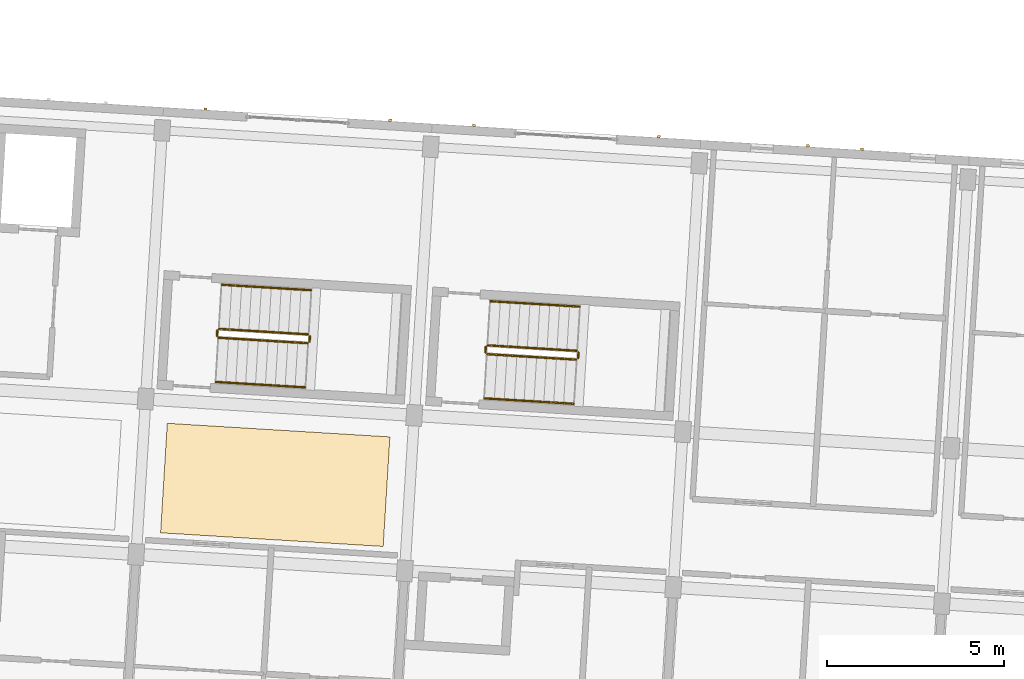
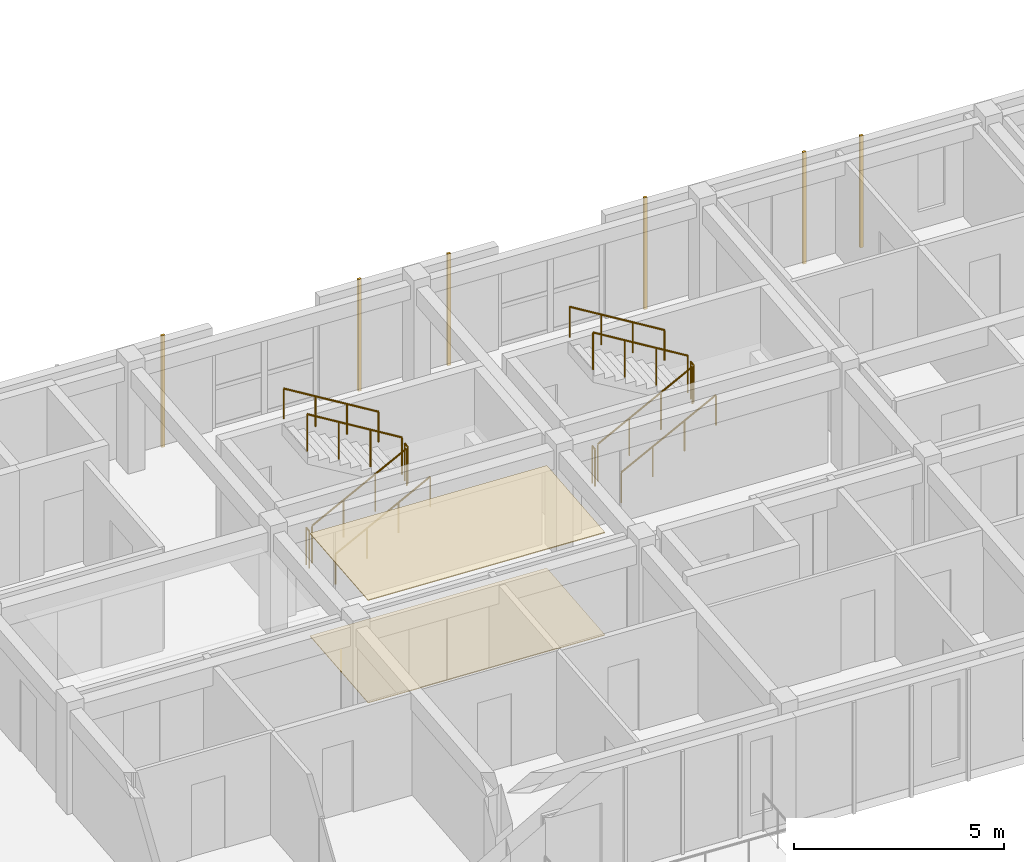
# One storey, part 49 of 64: 12 railings, 8 coverings.
"""IFC4 building model written with IfcOpenShell, lengths in metres."""

from ifc_helpers import new_model, si_unit, direction, frame, origin, origin_2d, place, context, subcontext, project, spatial, polyline, rectangle, circle, outline, extrude, material, layer, layer_set, type_object, element, save


model = new_model("IFC4")

# Units and contexts
model_context = context("Model", 3, precision=1e-05, world=origin(), true_north=direction((0.0, 1.0)))
body_context = subcontext(model_context, "Body", "Model", "MODEL_VIEW")
ifc_project = project(units=[si_unit("LENGTHUNIT", "METRE"), si_unit("AREAUNIT", "SQUARE_METRE"), si_unit("VOLUMEUNIT", "CUBIC_METRE"), si_unit("PLANEANGLEUNIT", "RADIAN"), si_unit("MASSUNIT", "GRAM", prefix="KILO")], contexts=[model_context])

# Site, building, storey
site_placement = place(None, origin())
site = spatial("IfcSite", under=ifc_project, at=site_placement, CompositionType="ELEMENT")
building_placement = place(site_placement, origin())
building = spatial("IfcBuilding", under=site, at=building_placement, Name="Kestramere Prow Commons", CompositionType="ELEMENT")
storey_placement = place(building_placement, frame((0.0, 0.0, 24.64990234375)))
storey = spatial("IfcBuildingStorey", under=building, at=storey_placement, Name="L07", CompositionType="ELEMENT", Elevation=24.64990234375)

# Coverings
ifc_material_1 = material(Name="Mineral Fibre Acoustic Ceiling Tile")
ifc_layer_1 = layer(ifc_material_1, 0.02490234375)
ifc_layer_set_1 = layer_set([ifc_layer_1], Name="Mineral Fibre Acoustic Ceiling Tile")
covering_type_1 = type_object("IfcCoveringType", Name="COV-CEIL-ACOUSTIC", PredefinedType="CEILING", material=ifc_layer_set_1)
covering_1_placement = place(storey_placement, frame((0.0, 0.0, 2.97509765625)))
element("IfcCovering", 1, at=covering_1_placement, inside=storey, type_object=covering_type_1, Name="Block C L07 Corridor Acoustic Ceiling 2", PredefinedType="CEILING", context=body_context, shape_type="SweptSolid", body=[
    extrude(outline(polyline([(68.23828125, 54.23095703125), (74.526611328125, 53.846435546875), (74.7158203125, 56.940673828125), (68.427490234375, 57.3251953125), (68.23828125, 54.23095703125)])), origin(), (0.0, 0.0, 1.0), 0.02490234375),
])
ifc_material_2 = material(Name="Weathered Zinc-Titanium Standing-Seam Cladding")
ifc_layer_2 = layer(ifc_material_2, 0.074951171875)
ifc_layer_set_2 = layer_set([ifc_layer_2], Name="Weathered Zinc-Titanium Standing-Seam Cladding")
covering_type_2 = type_object("IfcCoveringType", Name="COV-CLAD-SEAM", PredefinedType="CLADDING", material=ifc_layer_set_2)
for number, where, z_axis, x_axis, name in (
    (2, (69.509033203125, 66.203125, -0.25), (0.0, 0.0, 1.0), (0.998134798422, -0.061048539535, 0.0), "EW-C-L07-NP-1-L Standing-Seam Rib 1"),
    (3, (74.724365234375, 65.88427734375, -0.25), (0.0, 0.0, 1.0), (0.998134798422, -0.061048539535, 0.0), "EW-C-L07-NP-1-R Standing-Seam Rib 1"),
    (4, (77.094970703125, 65.7392578125, -0.25), (0.0, 0.0, 1.0), (0.998134798422, -0.061048539535, 0.0), "EW-C-L07-NP-2-L Standing-Seam Rib 1"),
    (5, (82.31005859375, 65.420166015625, -0.25), (0.0, 0.0, 1.0), (0.998134798422, -0.061048539535, 0.0), "EW-C-L07-NP-2-R Standing-Seam Rib 1"),
    (6, (86.52978515625, 65.162109375, -0.25), (0.0, 0.0, 1.0), (0.998134798422, -0.061048539535, 0.0), "EW-C-L07-N-3 Standing-Seam Rib 2"),
    (7, (88.046875, 65.0693359375, -0.25), (0.0, 0.0, 1.0), (0.998134798422, -0.061048539535, 0.0), "EW-C-L07-N-3 Standing-Seam Rib 3"),
):
    element("IfcCovering", number, at=place(storey_placement, frame(where, z_axis=z_axis, x_axis=x_axis)), inside=storey, type_object=covering_type_2, Name=name, PredefinedType="CLADDING", context=body_context, shape_type="SweptSolid", body=[
        extrude(rectangle(XDim=0.0849609375, YDim=0.06494140625, at=origin_2d()), origin(), (0.0, 0.0, 1.0), 3.25),
    ])
ifc_material_3 = material(Name="Honed Cementitious Terrazzo Tile")
ifc_layer_3 = layer(ifc_material_3, 0.02001953125)
ifc_layer_set_3 = layer_set([ifc_layer_3], Name="Honed Cementitious Terrazzo Tile")
covering_type_3 = type_object("IfcCoveringType", Name="COV-FLOOR-TERRAZZO", PredefinedType="FLOORING", material=ifc_layer_set_3)
covering_2_placement = place(storey_placement, origin())
element("IfcCovering", 8, at=covering_2_placement, inside=storey, type_object=covering_type_3, Name="Block C L07 Corridor Terrazzo Flooring 2", PredefinedType="FLOORING", context=body_context, shape_type="SweptSolid", body=[
    extrude(outline(polyline([(68.23828125, 54.23095703125), (74.526611328125, 53.846435546875), (74.7158203125, 56.940673828125), (68.427490234375, 57.3251953125), (68.23828125, 54.23095703125)])), origin(), (0.0, 0.0, 1.0), 0.02001953125),
])

# Railings
ifc_material_4 = material(Name="Galvanised Steel S275JR", Category="steel")
railing_type_1 = type_object("IfcRailingType", Name="RL-ST-GR-1100", PredefinedType="GUARDRAIL", material=ifc_material_4)
railing_1_placement = place(storey_placement, frame((69.877685546875, 59.7412109375, 0.16259765625)))
element("IfcRailing", 9, at=railing_1_placement, inside=storey, type_object=railing_type_1, Name="L07 ST-C1 stair guard 1", PredefinedType="GUARDRAIL", context=body_context, shape_type="SweptSolid", body=[
    extrude(circle(Radius=0.02392578125, at=origin_2d()), frame((0.0, 0.0, 1.076171875), z_axis=(0.863306038156, -0.052788780359, 0.501912371984), x_axis=(0.061033243939, 0.998135733823, 0.0)), (0.0, 0.0, 1.0), 2.91357421875),
    extrude(circle(Radius=0.02099609375, at=origin_2d()), origin(), (0.0, 0.0, 1.0), 1.052001953125),
    extrude(circle(Radius=0.02099609375, at=origin_2d()), frame((0.83837890625, -0.05126953125, 0.487548828125)), (0.0, 0.0, 1.0), 1.052001953125),
    extrude(circle(Radius=0.02099609375, at=origin_2d()), frame((1.677001953125, -0.1025390625, 0.974853515625)), (0.0, 0.0, 1.0), 1.052001953125),
    extrude(circle(Radius=0.02099609375, at=origin_2d()), frame((2.515380859375, -0.15380859375, 1.46240234375)), (0.0, 0.0, 1.0), 1.052001953125),
])
railing_2_placement = place(storey_placement, frame((72.446044921875, 59.63427734375, 1.625)))
element("IfcRailing", 10, at=railing_2_placement, inside=storey, type_object=railing_type_1, Name="L07 ST-C1 stair guard 2", PredefinedType="GUARDRAIL", context=body_context, shape_type="SweptSolid", body=[
    extrude(circle(Radius=0.02392578125, at=origin_2d()), frame((0.0, 0.0, 1.076171875), z_axis=(0.060249240593, 0.998183364422, 0.0), x_axis=(-0.998183364422, 0.060249240593, 0.0)), (0.0, 0.0, 1.0), 0.14990234375),
    extrude(circle(Radius=0.02099609375, at=origin_2d()), origin(), (0.0, 0.0, 1.0), 1.052001953125),
    extrude(circle(Radius=0.02099609375, at=origin_2d()), frame((0.009033203125, 0.149658203125, 0.0)), (0.0, 0.0, 1.0), 1.052001953125),
])
railing_3_placement = place(storey_placement, frame((72.408203125, 59.8369140625, 1.78759765625)))
element("IfcRailing", 11, at=railing_3_placement, inside=storey, type_object=railing_type_1, Name="L07 ST-C1 stair guard 3", PredefinedType="GUARDRAIL", context=body_context, shape_type="SweptSolid", body=[
    extrude(circle(Radius=0.02392578125, at=origin_2d()), frame((0.0, 0.0, 1.076171875), z_axis=(-0.863284693866, 0.052792599217, 0.501948681446), x_axis=(-0.061039146275, -0.998135372894, 0.0)), (0.0, 0.0, 1.0), 2.913330078125),
    extrude(circle(Radius=0.02099609375, at=origin_2d()), origin(), (0.0, 0.0, 1.0), 1.052001953125),
    extrude(circle(Radius=0.02099609375, at=origin_2d()), frame((-0.83837890625, 0.05126953125, 0.487548828125)), (0.0, 0.0, 1.0), 1.052001953125),
    extrude(circle(Radius=0.02099609375, at=origin_2d()), frame((-1.6767578125, 0.1025390625, 0.974853515625)), (0.0, 0.0, 1.0), 1.052001953125),
    extrude(circle(Radius=0.02099609375, at=origin_2d()), frame((-2.51513671875, 0.15380859375, 1.46240234375)), (0.0, 0.0, 1.0), 1.052001953125),
])
railing_4_placement = place(storey_placement, frame((69.830810546875, 59.794189453125, 0.0)))
element("IfcRailing", 12, at=railing_4_placement, inside=storey, type_object=railing_type_1, Name="L07 ST-C1 stair guard 4", PredefinedType="GUARDRAIL", context=body_context, shape_type="SweptSolid", body=[
    extrude(circle(Radius=0.02392578125, at=origin_2d()), frame((0.0, 0.0, 1.076171875), z_axis=(0.061871446683, 0.998084126758, 0.0), x_axis=(-0.998084126758, 0.061871446683, 0.0)), (0.0, 0.0, 1.0), 0.14990234375),
    extrude(circle(Radius=0.02099609375, at=origin_2d()), origin(), (0.0, 0.0, 1.0), 1.052001953125),
    extrude(circle(Radius=0.02099609375, at=origin_2d()), frame((0.00927734375, 0.149658203125, 0.0)), (0.0, 0.0, 1.0), 1.052001953125),
])
railing_5_placement = place(storey_placement, frame((77.463623046875, 59.277099609375, 0.16259765625)))
element("IfcRailing", 13, at=railing_5_placement, inside=storey, type_object=railing_type_1, Name="L07 ST-C2 stair guard 1", PredefinedType="GUARDRAIL", context=body_context, shape_type="SweptSolid", body=[
    extrude(circle(Radius=0.02392578125, at=origin_2d()), frame((0.0, 0.0, 1.076171875), z_axis=(0.863284693866, -0.052792599217, 0.501948681446), x_axis=(0.061039146275, 0.998135372894, 0.0)), (0.0, 0.0, 1.0), 2.913330078125),
    extrude(circle(Radius=0.02099609375, at=origin_2d()), origin(), (0.0, 0.0, 1.0), 1.052001953125),
    extrude(circle(Radius=0.02099609375, at=origin_2d()), frame((0.83837890625, -0.05126953125, 0.487548828125)), (0.0, 0.0, 1.0), 1.052001953125),
    extrude(circle(Radius=0.02099609375, at=origin_2d()), frame((1.6767578125, -0.1025390625, 0.974853515625)), (0.0, 0.0, 1.0), 1.052001953125),
    extrude(circle(Radius=0.02099609375, at=origin_2d()), frame((2.51513671875, -0.15380859375, 1.46240234375)), (0.0, 0.0, 1.0), 1.052001953125),
])
railing_6_placement = place(storey_placement, frame((80.03173828125, 59.170166015625, 1.625)))
element("IfcRailing", 14, at=railing_6_placement, inside=storey, type_object=railing_type_1, Name="L07 ST-C2 stair guard 2", PredefinedType="GUARDRAIL", context=body_context, shape_type="SweptSolid", body=[
    extrude(circle(Radius=0.02392578125, at=origin_2d()), frame((0.0, 0.0, 1.076171875), z_axis=(0.061871446683, 0.998084126758, 0.0), x_axis=(-0.998084126758, 0.061871446683, 0.0)), (0.0, 0.0, 1.0), 0.14990234375),
    extrude(circle(Radius=0.02099609375, at=origin_2d()), origin(), (0.0, 0.0, 1.0), 1.052001953125),
    extrude(circle(Radius=0.02099609375, at=origin_2d()), frame((0.00927734375, 0.149658203125, 0.0)), (0.0, 0.0, 1.0), 1.052001953125),
])
railing_7_placement = place(storey_placement, frame((79.994140625, 59.372802734375, 1.78759765625)))
element("IfcRailing", 15, at=railing_7_placement, inside=storey, type_object=railing_type_1, Name="L07 ST-C2 stair guard 3", PredefinedType="GUARDRAIL", context=body_context, shape_type="SweptSolid", body=[
    extrude(circle(Radius=0.02392578125, at=origin_2d()), frame((0.0, 0.0, 1.076171875), z_axis=(-0.863306038156, 0.052788780359, 0.501912371984), x_axis=(-0.061033243939, -0.998135733823, 0.0)), (0.0, 0.0, 1.0), 2.91357421875),
    extrude(circle(Radius=0.02099609375, at=origin_2d()), origin(), (0.0, 0.0, 1.0), 1.052001953125),
    extrude(circle(Radius=0.02099609375, at=origin_2d()), frame((-0.83837890625, 0.05126953125, 0.487548828125)), (0.0, 0.0, 1.0), 1.052001953125),
    extrude(circle(Radius=0.02099609375, at=origin_2d()), frame((-1.677001953125, 0.1025390625, 0.974853515625)), (0.0, 0.0, 1.0), 1.052001953125),
    extrude(circle(Radius=0.02099609375, at=origin_2d()), frame((-2.515380859375, 0.15380859375, 1.46240234375)), (0.0, 0.0, 1.0), 1.052001953125),
])
railing_8_placement = place(storey_placement, frame((77.416748046875, 59.330078125, 0.0)))
element("IfcRailing", 16, at=railing_8_placement, inside=storey, type_object=railing_type_1, Name="L07 ST-C2 stair guard 4", PredefinedType="GUARDRAIL", context=body_context, shape_type="SweptSolid", body=[
    extrude(circle(Radius=0.02392578125, at=origin_2d()), frame((0.0, 0.0, 1.076171875), z_axis=(0.060151470121, 0.998189260933, 0.0), x_axis=(-0.998189260933, 0.060151470121, 0.0)), (0.0, 0.0, 1.0), 0.150146484375),
    extrude(circle(Radius=0.02099609375, at=origin_2d()), origin(), (0.0, 0.0, 1.0), 1.052001953125),
    extrude(circle(Radius=0.02099609375, at=origin_2d()), frame((0.009033203125, 0.14990234375, 0.0)), (0.0, 0.0, 1.0), 1.052001953125),
])
ifc_material_5 = material(Name="Stainless Steel 304", Category="steel")
railing_type_2 = type_object("IfcRailingType", Name="RL-ST-HR-900", PredefinedType="HANDRAIL", material=ifc_material_5)
railing_9_placement = place(storey_placement, frame((69.801513671875, 58.493408203125, 0.3251953125)))
element("IfcRailing", 17, at=railing_9_placement, inside=storey, type_object=railing_type_2, Name="L07 ST-C1 stair handrail 1", PredefinedType="HANDRAIL", context=body_context, shape_type="SweptSolid", body=[
    extrude(circle(Radius=0.02392578125, at=origin_2d()), frame((0.0, 0.0, 0.8759765625), z_axis=(0.863284693866, -0.052792599217, 0.501948681446), x_axis=(0.061039146275, 0.998135372894, 0.0)), (0.0, 0.0, 1.0), 2.913330078125),
    extrude(circle(Radius=0.02099609375, at=origin_2d()), origin(), (0.0, 0.0, 1.0), 0.851806640625),
    extrude(circle(Radius=0.02099609375, at=origin_2d()), frame((0.83837890625, -0.05126953125, 0.487548828125)), (0.0, 0.0, 1.0), 0.851806640625),
    extrude(circle(Radius=0.02099609375, at=origin_2d()), frame((1.6767578125, -0.1025390625, 0.974853515625)), (0.0, 0.0, 1.0), 0.851806640625),
    extrude(circle(Radius=0.02099609375, at=origin_2d()), frame((2.51513671875, -0.15380859375, 1.46240234375)), (0.0, 0.0, 1.0), 0.851806640625),
])
railing_10_placement = place(storey_placement, frame((72.484619140625, 61.08447265625, 1.9501953125)))
element("IfcRailing", 18, at=railing_10_placement, inside=storey, type_object=railing_type_2, Name="L07 ST-C1 stair handrail 2", PredefinedType="HANDRAIL", context=body_context, shape_type="SweptSolid", body=[
    extrude(circle(Radius=0.02392578125, at=origin_2d()), frame((0.0, 0.0, 0.8759765625), z_axis=(-0.863306038156, 0.052788780359, 0.501912371984), x_axis=(-0.061033243939, -0.998135733823, 0.0)), (0.0, 0.0, 1.0), 2.91357421875),
    extrude(circle(Radius=0.02099609375, at=origin_2d()), origin(), (0.0, 0.0, 1.0), 0.851806640625),
    extrude(circle(Radius=0.02099609375, at=origin_2d()), frame((-0.83837890625, 0.05126953125, 0.487548828125)), (0.0, 0.0, 1.0), 0.851806640625),
    extrude(circle(Radius=0.02099609375, at=origin_2d()), frame((-1.677001953125, 0.1025390625, 0.974853515625)), (0.0, 0.0, 1.0), 0.851806640625),
    extrude(circle(Radius=0.02099609375, at=origin_2d()), frame((-2.515380859375, 0.15380859375, 1.46240234375)), (0.0, 0.0, 1.0), 0.851806640625),
])
railing_11_placement = place(storey_placement, frame((77.38720703125, 58.029541015625, 0.3251953125)))
element("IfcRailing", 19, at=railing_11_placement, inside=storey, type_object=railing_type_2, Name="L07 ST-C2 stair handrail 1", PredefinedType="HANDRAIL", context=body_context, shape_type="SweptSolid", body=[
    extrude(circle(Radius=0.02392578125, at=origin_2d()), frame((0.0, 0.0, 0.8759765625), z_axis=(0.863306038156, -0.052788780359, 0.501912371984), x_axis=(0.061033243939, 0.998135733823, 0.0)), (0.0, 0.0, 1.0), 2.91357421875),
    extrude(circle(Radius=0.02099609375, at=origin_2d()), origin(), (0.0, 0.0, 1.0), 0.851806640625),
    extrude(circle(Radius=0.02099609375, at=origin_2d()), frame((0.83837890625, -0.05126953125, 0.487548828125)), (0.0, 0.0, 1.0), 0.851806640625),
    extrude(circle(Radius=0.02099609375, at=origin_2d()), frame((1.677001953125, -0.1025390625, 0.974853515625)), (0.0, 0.0, 1.0), 0.851806640625),
    extrude(circle(Radius=0.02099609375, at=origin_2d()), frame((2.515380859375, -0.15380859375, 1.46240234375)), (0.0, 0.0, 1.0), 0.851806640625),
])
railing_12_placement = place(storey_placement, frame((80.0703125, 60.62060546875, 1.9501953125)))
element("IfcRailing", 20, at=railing_12_placement, inside=storey, type_object=railing_type_2, Name="L07 ST-C2 stair handrail 2", PredefinedType="HANDRAIL", context=body_context, shape_type="SweptSolid", body=[
    extrude(circle(Radius=0.02392578125, at=origin_2d()), frame((0.0, 0.0, 0.8759765625), z_axis=(-0.863284693866, 0.052792599217, 0.501948681446), x_axis=(-0.061039146275, -0.998135372894, 0.0)), (0.0, 0.0, 1.0), 2.913330078125),
    extrude(circle(Radius=0.02099609375, at=origin_2d()), origin(), (0.0, 0.0, 1.0), 0.851806640625),
    extrude(circle(Radius=0.02099609375, at=origin_2d()), frame((-0.83837890625, 0.05126953125, 0.487548828125)), (0.0, 0.0, 1.0), 0.851806640625),
    extrude(circle(Radius=0.02099609375, at=origin_2d()), frame((-1.6767578125, 0.1025390625, 0.974853515625)), (0.0, 0.0, 1.0), 0.851806640625),
    extrude(circle(Radius=0.02099609375, at=origin_2d()), frame((-2.51513671875, 0.15380859375, 1.46240234375)), (0.0, 0.0, 1.0), 0.851806640625),
])

save(model, "model.ifc")
